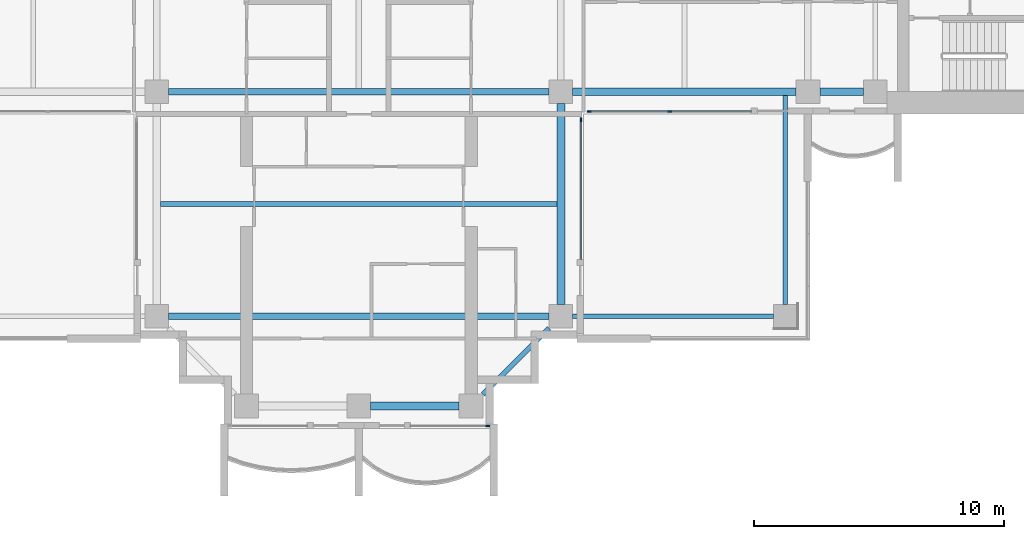
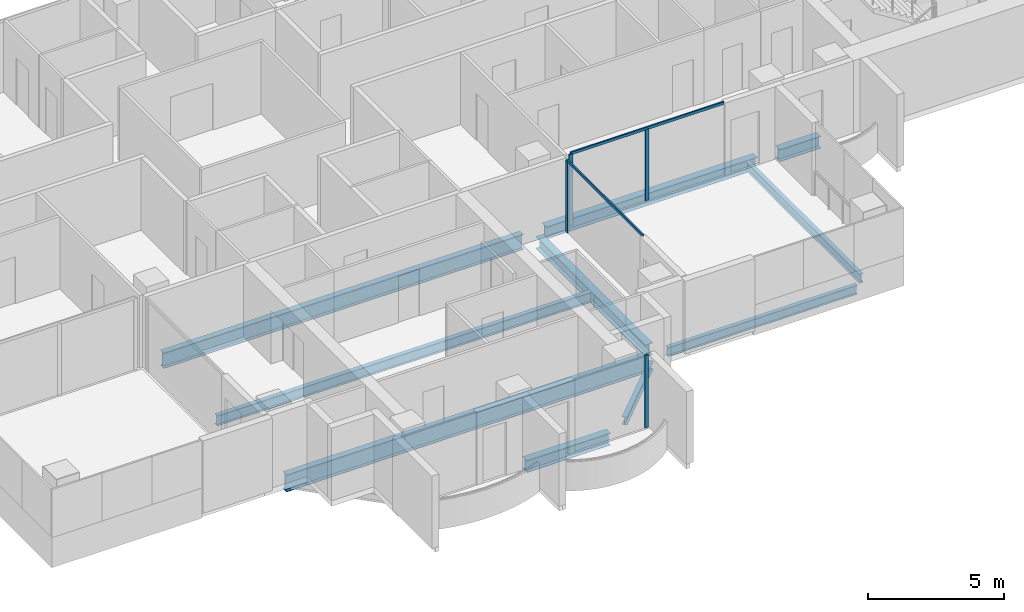
# One storey, part 3 of 17: 10 beams, 6 members, 3 elements without a shape of their own.
"""IFC4 building model written with IfcOpenShell, lengths in metres."""

import ifcopenshell
import ifcopenshell.guid

model = None  # the IFC model being written
_history = None  # IfcOwnerHistory: only IFC2X3 demands one
_inside = {}  # id of a spatial element -> (the spatial element, [elements in it])
_under = {}  # id of a project, library or spatial element -> (it, [spatial elements below it])
_declared = {}  # id of a project -> (the project, [libraries it declares])
_typed = {}  # id of a type object -> (the type object, [elements of that type])
_made_of = {}  # id of a material, layer set ... -> (it, [elements and type objects made of it])


def new_model(schema):
    """Start an empty IFC model of exactly this schema.

    Asked for "IFC4X3", IfcOpenShell would pick the latest addendum, in which some entities
    have other attributes; the version numbers below select the first issue.
    IFC2X3 requires an IfcOwnerHistory on every rooted entity: one is made here for all.
    """
    global model, _history
    if schema == "IFC4X3":
        model = ifcopenshell.file(schema_version=(4, 3, 0, 0))
    else:
        model = ifcopenshell.file(schema=schema)
    _inside.clear()
    _under.clear()
    _declared.clear()
    _typed.clear()
    _made_of.clear()
    _history = None
    if model.schema == "IFC2X3":
        org = make("IfcOrganization", Name="unknown")
        user = make(
            "IfcPersonAndOrganization",
            ThePerson=make("IfcPerson", FamilyName="unknown"),
            TheOrganization=org,
        )
        app = make(
            "IfcApplication",
            ApplicationDeveloper=org,
            Version="unknown",
            ApplicationFullName="unknown",
            ApplicationIdentifier="unknown",
        )
        _history = make(
            "IfcOwnerHistory",
            OwningUser=user,
            OwningApplication=app,
            ChangeAction="ADDED",
            CreationDate=0,
        )
    return model


def make(cls, **values):
    """One entity of the class cls with the attributes given. An attribute that is None is left unset."""
    return model.create_entity(
        cls, **{name: value for name, value in values.items() if value is not None}
    )


def rooted(cls, **values):
    """An entity with a GlobalId (a new one), such as an element, a storey or a relation."""
    return make(cls, GlobalId=ifcopenshell.guid.new(), OwnerHistory=_history, **values)


def si_unit(unit_type, name, prefix=None):
    """IfcSIUnit, for example si_unit("LENGTHUNIT", "METRE", prefix="MILLI")."""
    return make("IfcSIUnit", UnitType=unit_type, Prefix=prefix, Name=name)


def assignment(units):
    """IfcUnitAssignment: the units of a project."""
    return None if units is None else make("IfcUnitAssignment", Units=units)


def point(xyz):
    """IfcCartesianPoint."""
    return None if xyz is None else make("IfcCartesianPoint", Coordinates=xyz)


def direction(xyz):
    """IfcDirection."""
    return None if xyz is None else make("IfcDirection", DirectionRatios=xyz)


def frame(location, z_axis=None, x_axis=None):
    """IfcAxis2Placement3D, a coordinate frame: its origin and axes. An axis left out is left unset."""
    return make(
        "IfcAxis2Placement3D",
        Location=point(location),
        Axis=direction(z_axis),
        RefDirection=direction(x_axis),
    )


def frame_2d(location, x_axis=None):
    """IfcAxis2Placement2D, a coordinate frame in the plane: its origin and x axis."""
    return make(
        "IfcAxis2Placement2D", Location=point(location), RefDirection=direction(x_axis)
    )


def origin():
    """The frame at (0, 0, 0) with its axes left unset."""
    return frame((0.0, 0.0, 0.0))


def origin_2d():
    """The frame at (0, 0) in the plane with its x axis left unset."""
    return frame_2d((0.0, 0.0))


def place(relative_to, where):
    """IfcLocalPlacement: puts the frame where relative to a parent placement (None: the world)."""
    return make(
        "IfcLocalPlacement", PlacementRelTo=relative_to, RelativePlacement=where
    )


def context(
    kind, dimensions, precision=None, world=None, true_north=None, identifier=None
):
    """IfcGeometricRepresentationContext, for example the 3D "Model" context."""
    return make(
        "IfcGeometricRepresentationContext",
        ContextIdentifier=identifier,
        ContextType=kind,
        CoordinateSpaceDimension=dimensions,
        Precision=precision,
        WorldCoordinateSystem=world,
        TrueNorth=true_north,
    )


def subcontext(parent, identifier, kind, view, scale=None):
    """IfcGeometricRepresentationSubContext, for example "Body" below "Model"."""
    return make(
        "IfcGeometricRepresentationSubContext",
        ContextIdentifier=identifier,
        ContextType=kind,
        ParentContext=parent,
        TargetScale=scale,
        TargetView=view,
    )


def project(units=None, contexts=None):
    """IfcProject with its units and contexts."""
    return rooted(
        "IfcProject",
        Name="project",
        RepresentationContexts=contexts,
        UnitsInContext=assignment(units),
    )


def spatial(cls, under=None, at=None, **own):
    """A site, building, storey or space (cls), placed at a placement, below another one or the project."""
    s = rooted(cls, ObjectPlacement=at, **own)
    if under is not None:
        _under.setdefault(under.id(), (under, []))[1].append(s)
    return s


def profile(cls, at=None, kind="AREA", **sizes):
    """A parametric profile (cls). Its sizes go by their IFC names, for example OverallWidth=200.0."""
    return make(cls, ProfileType=kind, Position=at, **sizes)


def rectangle(**sizes):
    """IfcRectangleProfileDef."""
    return profile("IfcRectangleProfileDef", **sizes)


def i_section(**sizes):
    """IfcIShapeProfileDef."""
    return profile("IfcIShapeProfileDef", **sizes)


def extrude(swept, where, along, depth):
    """IfcExtrudedAreaSolid: the profile swept, set in the frame where, extruded along a direction by depth."""
    return make(
        "IfcExtrudedAreaSolid",
        SweptArea=swept,
        Position=where,
        ExtrudedDirection=direction(along),
        Depth=depth,
    )


def shape(context_of_items, identifier, shape_type, items):
    """IfcShapeRepresentation: the items that make up one representation, for example the "Body"."""
    return make(
        "IfcShapeRepresentation",
        ContextOfItems=context_of_items,
        RepresentationIdentifier=identifier,
        RepresentationType=shape_type,
        Items=items,
    )


def material(Name=None, Category=None):
    """IfcMaterial."""
    return make("IfcMaterial", Name=Name, Category=Category)


def material_profile(
    of_material, cross_section, Name=None, Category=None, Priority=None
):
    """IfcMaterialProfile: a cross section and its material."""
    return make(
        "IfcMaterialProfile",
        Name=Name,
        Material=of_material,
        Profile=cross_section,
        Priority=Priority,
        Category=Category,
    )


def profile_set(profiles, Name=None, composite=None):
    """IfcMaterialProfileSet."""
    return make(
        "IfcMaterialProfileSet",
        Name=Name,
        MaterialProfiles=profiles,
        CompositeProfile=composite,
    )


def made_of(thing, what):
    """Note that an element or type object is made of a material, layer set ...; save() writes the relation."""
    if what is not None:
        _made_of.setdefault(what.id(), (what, []))[1].append(thing)
    return thing


def type_object(cls, material=None, **own):
    """A type object (cls), such as IfcWallType, which elements share."""
    return made_of(rooted(cls, **own), material)


def element(
    cls,
    number,
    at=None,
    inside=None,
    cuts=None,
    type_object=None,
    material=None,
    context=None,
    identifier="Body",
    shape_type=None,
    held_by="IfcProductDefinitionShape",
    body=None,
    shapes=None,
    **own,
):
    """One element of the class cls, such as IfcWall. Its Tag is "e" and its number.

    at: its placement. inside: the storey or other place that contains it. cuts: it is an
    opening in that element (IfcRelVoidsElement). A single representation is given by context,
    identifier, shape_type and body (its items); several are given by shapes. held_by: the class
    of the entity that holds the representations. save() writes the other relations.
    """
    e = rooted(cls, Tag="e%d" % number, ObjectPlacement=at, **own)
    if body is not None:
        shapes = [shape(context, identifier, shape_type, body)]
    if shapes is not None:
        e.Representation = make(held_by, Representations=shapes)
    if inside is not None:
        _inside.setdefault(inside.id(), (inside, []))[1].append(e)
    if cuts is not None:
        rooted(
            "IfcRelVoidsElement", RelatingBuildingElement=cuts, RelatedOpeningElement=e
        )
    if type_object is not None:
        _typed.setdefault(type_object.id(), (type_object, []))[1].append(e)
    return made_of(e, material)


def aggregate(whole, parts):
    """IfcRelAggregates: a whole, such as a stair, and the parts it consists of."""
    return rooted("IfcRelAggregates", RelatingObject=whole, RelatedObjects=parts)


def save(model, path):
    """Write the relations noted so far, then the file.

    IfcRelAggregates (storeys below a building ...), IfcRelContainedInSpatialStructure (elements
    in a storey), IfcRelDefinesByType, IfcRelAssociatesMaterial and IfcRelDeclares: one each for
    every whole, place, type object, material and project.
    """
    for whole, parts in _under.values():
        aggregate(whole, parts)
    for where, things in _inside.values():
        rooted(
            "IfcRelContainedInSpatialStructure",
            RelatedElements=things,
            RelatingStructure=where,
        )
    for kind, things in _typed.values():
        rooted("IfcRelDefinesByType", RelatedObjects=things, RelatingType=kind)
    for what, things in _made_of.values():
        rooted("IfcRelAssociatesMaterial", RelatedObjects=things, RelatingMaterial=what)
    for by, libraries in _declared.values():
        rooted("IfcRelDeclares", RelatingContext=by, RelatedDefinitions=libraries)
    model.write(path)


model = new_model("IFC4")

# Units and contexts
model_context = context("Model", 3, precision=1e-05, world=origin(), true_north=direction((0.0, 1.0)))
body_context = subcontext(model_context, "Body", "Model", "MODEL_VIEW")
ifc_project = project(units=[si_unit("LENGTHUNIT", "METRE"), si_unit("AREAUNIT", "SQUARE_METRE"), si_unit("VOLUMEUNIT", "CUBIC_METRE"), si_unit("PLANEANGLEUNIT", "RADIAN"), si_unit("MASSUNIT", "GRAM", prefix="KILO")], contexts=[model_context])

# Site, building, storey
site_placement = place(None, origin())
site = spatial("IfcSite", under=ifc_project, at=site_placement, CompositionType="ELEMENT")
building_placement = place(site_placement, origin())
building = spatial("IfcBuilding", under=site, at=building_placement, Name="Perihelion Cross Residences", CompositionType="ELEMENT")
storey_placement = place(building_placement, frame((0.0, 0.0, 184.10009765625)))
storey = spatial("IfcBuildingStorey", under=building, at=storey_placement, Name="L45", CompositionType="ELEMENT", Elevation=184.10009765625)

# Curtain wall, member
ifc_material_1 = material(Name="Bronze anodised aluminium, tinted glazing", Category="aluminium")
curtain_wall_type = type_object("IfcCurtainWallType", Name="CW1", PredefinedType="NOTDEFINED", material=ifc_material_1)
curtain_wall_1_placement = place(storey_placement, origin())
curtain_wall_1 = element("IfcCurtainWall", 1, at=curtain_wall_1_placement, inside=storey, type_object=curtain_wall_type, Name="Curtain wall CW1 L45 south tip south bay 2", PredefinedType="NOTDEFINED")
ifc_material_2 = material(Name="Bronze anodised aluminium", Category="aluminium")
ifc_material_profile_1 = material_profile(ifc_material_2, rectangle(XDim=0.06005859375, YDim=0.159912109375, at=origin_2d()), Name="CW1 mullion")
ifc_profile_set_1 = profile_set([ifc_material_profile_1], Name="Bronze anodised aluminium")
member_type_1 = type_object("IfcMemberType", Name="CW1 mullion", PredefinedType="MULLION", material=ifc_profile_set_1)
member_1_placement = place(storey_placement, frame((5.169921875, -21.5, 0.0), z_axis=(0.0, 0.0, 1.0), x_axis=(0.0, 1.0, 0.0)))
member_1 = element("IfcMember", 2, at=member_1_placement, type_object=member_type_1, Name="CW1 mullion 2", PredefinedType="MULLION", context=body_context, shape_type="SweptSolid", body=[
    extrude(rectangle(XDim=0.06005859375, YDim=0.159912109375, at=origin_2d()), origin(), (0.0, 0.0, 1.0), 3.25),
])
aggregate(curtain_wall_1, [member_1])

curtain_wall_2_placement = place(storey_placement, origin())
curtain_wall_2 = element("IfcCurtainWall", 3, at=curtain_wall_2_placement, inside=storey, type_object=curtain_wall_type, Name="Curtain wall CW1 L45 south side east bay 1", PredefinedType="NOTDEFINED")
member_2_placement = place(storey_placement, frame((8.89990234375, -9.22998046875, 0.0), z_axis=(0.0, 0.0, 1.0), x_axis=(-1.0, 0.0, 0.0)))
member_2 = element("IfcMember", 4, at=member_2_placement, type_object=member_type_1, Name="CW1 mullion 2", PredefinedType="MULLION", context=body_context, shape_type="SweptSolid", body=[
    extrude(rectangle(XDim=0.06005859375, YDim=0.159912109375, at=origin_2d()), origin(), (0.0, 0.0, 1.0), 3.18994140625),
])

# Curtain wall, members
curtain_wall_3_placement = place(storey_placement, origin())
curtain_wall_3 = element("IfcCurtainWall", 5, at=curtain_wall_3_placement, inside=storey, type_object=curtain_wall_type, Name="Curtain wall CW1 L45 east side south bay 1", PredefinedType="NOTDEFINED")
member_3_placement = place(storey_placement, frame((9.22998046875, -8.89990234375, 0.0), z_axis=(0.0, 0.0, 1.0), x_axis=(0.0, 1.0, 0.0)))
member_3 = element("IfcMember", 6, at=member_3_placement, type_object=member_type_1, Name="CW1 mullion 1", PredefinedType="MULLION", context=body_context, shape_type="SweptSolid", body=[
    extrude(rectangle(XDim=0.06005859375, YDim=0.159912109375, at=origin_2d()), origin(), (0.0, 0.0, 1.0), 3.18994140625),
])
member_4_placement = place(storey_placement, frame((12.46240234375, -8.89990234375, 0.0), z_axis=(0.0, 0.0, 1.0), x_axis=(0.0, 1.0, 0.0)))
member_4 = element("IfcMember", 7, at=member_4_placement, type_object=member_type_1, Name="CW1 mullion 2", PredefinedType="MULLION", context=body_context, shape_type="SweptSolid", body=[
    extrude(rectangle(XDim=0.06005859375, YDim=0.159912109375, at=origin_2d()), origin(), (0.0, 0.0, 1.0), 3.18994140625),
])

# Member
ifc_material_3 = material(Name="Bronze anodised aluminium", Category="aluminium")
ifc_material_profile_2 = material_profile(ifc_material_3, rectangle(XDim=0.06005859375, YDim=0.1201171875, at=origin_2d()), Name="CW1 transom")
ifc_profile_set_2 = profile_set([ifc_material_profile_2], Name="Bronze anodised aluminium")
member_type_2 = type_object("IfcMemberType", Name="CW1 transom", PredefinedType="USERDEFINED", material=ifc_profile_set_2)
member_5_placement = place(storey_placement, frame((8.89990234375, -14.824951171875, 3.219970703125), z_axis=(0.0, 1.0, 0.0), x_axis=(-1.0, 0.0, 0.0)))
member_5 = element("IfcMember", 8, at=member_5_placement, type_object=member_type_2, Name="CW1 head transom", ObjectType="TRANSOM", PredefinedType="USERDEFINED", context=body_context, shape_type="SweptSolid", body=[
    extrude(rectangle(XDim=0.06005859375, YDim=0.1201171875, at=origin_2d()), origin(), (0.0, 0.0, 1.0), 5.594970703125),
])

aggregate(curtain_wall_2, [member_2, member_5])

member_6_placement = place(storey_placement, frame((9.22998046875, -8.89990234375, 3.219970703125), z_axis=(1.0, 0.0, 0.0), x_axis=(0.0, 1.0, 0.0)))
member_6 = element("IfcMember", 9, at=member_6_placement, type_object=member_type_2, Name="CW1 head transom", ObjectType="TRANSOM", PredefinedType="USERDEFINED", context=body_context, shape_type="SweptSolid", body=[
    extrude(rectangle(XDim=0.06005859375, YDim=0.1201171875, at=origin_2d()), origin(), (0.0, 0.0, 1.0), 6.4951171875),
])

aggregate(curtain_wall_3, [member_3, member_4, member_6])

# Beams
ifc_material_4 = material(Name="Steel S355", Category="steel")
ifc_material_profile_3 = material_profile(ifc_material_4, i_section(OverallWidth=0.177978515625, OverallDepth=0.406005859375, WebThickness=0.0078125, FlangeThickness=0.0126953125, at=origin_2d()), Name="W410x60")
ifc_profile_set_3 = profile_set([ifc_material_profile_3], Name="Steel S355")
beam_type_1 = type_object("IfcBeamType", Name="Core edge beam W410x60", PredefinedType="BEAM", material=ifc_profile_set_3)
beam_1_placement = place(storey_placement, frame((17.10009765625, -8.256103515625, -0.453125), z_axis=(0.0, -1.0, 0.0), x_axis=(1.0, 0.0, 0.0)))
element("IfcBeam", 10, at=beam_1_placement, inside=storey, type_object=beam_type_1, Name="Core edge beam TB2 L45 corner no. 3", PredefinedType="BEAM", context=body_context, shape_type="SweptSolid", body=[
    extrude(i_section(OverallWidth=0.177978515625, OverallDepth=0.406005859375, WebThickness=0.0078125, FlangeThickness=0.0126953125, at=origin_2d()), origin(), (0.0, 0.0, 1.0), 8.368896484375),
])
beam_2_placement = place(storey_placement, frame((8.574951171875, -17.10009765625, -0.453125), z_axis=(1.0, 0.0, 0.0), x_axis=(0.0, 1.0, 0.0)))
element("IfcBeam", 11, at=beam_2_placement, inside=storey, type_object=beam_type_1, Name="Core edge beam TB2 L45 corner no. 4", PredefinedType="BEAM", context=body_context, shape_type="SweptSolid", body=[
    extrude(i_section(OverallWidth=0.177978515625, OverallDepth=0.406005859375, WebThickness=0.0078125, FlangeThickness=0.0126953125, at=origin_2d()), origin(), (0.0, 0.0, 1.0), 8.050048828125),
])
ifc_material_5 = material(Name="Steel S355", Category="steel")
ifc_material_profile_4 = material_profile(ifc_material_5, i_section(OverallWidth=0.31201171875, OverallDepth=0.5439453125, WebThickness=0.0126953125, FlangeThickness=0.020263671875, at=origin_2d()), Name="W530x150")
ifc_profile_set_4 = profile_set([ifc_material_profile_4], Name="Steel S355")
beam_type_2 = type_object("IfcBeamType", Name="Edge beam W530x150", PredefinedType="SPANDREL", material=ifc_profile_set_4)
beam_3_placement = place(storey_placement, frame((0.47509765625, -20.699951171875, -0.522216796875), z_axis=(1.0, 0.0, 0.0), x_axis=(0.0, 1.0, 0.0)))
element("IfcBeam", 12, at=beam_3_placement, inside=storey, type_object=beam_type_2, Name="Edge beam SB4 L45 no. 7", PredefinedType="SPANDREL", context=body_context, shape_type="SweptSolid", body=[
    extrude(i_section(OverallWidth=0.31201171875, OverallDepth=0.5439453125, WebThickness=0.0126953125, FlangeThickness=0.020263671875, at=origin_2d()), origin(), (0.0, 0.0, 1.0), 3.5498046875),
])
beam_4_placement = place(storey_placement, frame((8.10009765625, -16.625, -0.522216796875), z_axis=(0.0, 1.0, 0.0), x_axis=(-1.0, 0.0, 0.0)))
element("IfcBeam", 13, at=beam_4_placement, inside=storey, type_object=beam_type_2, Name="Edge beam SB4 L45 no. 11", PredefinedType="SPANDREL", context=body_context, shape_type="SweptSolid", body=[
    extrude(i_section(OverallWidth=0.31201171875, OverallDepth=0.5439453125, WebThickness=0.0126953125, FlangeThickness=0.020263671875, at=origin_2d()), origin(), (0.0, 0.0, 1.0), 8.050048828125),
])
beam_5_placement = place(storey_placement, frame((8.574951171875, -8.10009765625, -0.522216796875), z_axis=(1.0, 0.0, 0.0), x_axis=(0.0, 1.0, 0.0)))
element("IfcBeam", 14, at=beam_5_placement, inside=storey, type_object=beam_type_2, Name="Edge beam SB4 L45 no. 12", PredefinedType="SPANDREL", context=body_context, shape_type="SweptSolid", body=[
    extrude(i_section(OverallWidth=0.31201171875, OverallDepth=0.5439453125, WebThickness=0.0126953125, FlangeThickness=0.020263671875, at=origin_2d()), origin(), (0.0, 0.0, 1.0), 8.949951171875),
])
beam_6_placement = place(storey_placement, frame((18.47509765625, -8.10009765625, -0.522216796875), z_axis=(1.0, 0.0, 0.0), x_axis=(0.0, 1.0, 0.0)))
element("IfcBeam", 15, at=beam_6_placement, inside=storey, type_object=beam_type_2, Name="Edge beam SB4 L45 no. 8", PredefinedType="SPANDREL", context=body_context, shape_type="SweptSolid", body=[
    extrude(i_section(OverallWidth=0.31201171875, OverallDepth=0.5439453125, WebThickness=0.0126953125, FlangeThickness=0.020263671875, at=origin_2d()), origin(), (0.0, 0.0, 1.0), 1.75),
])
ifc_material_6 = material(Name="Steel S355", Category="steel")
ifc_material_profile_5 = material_profile(ifc_material_6, i_section(OverallWidth=0.26708984375, OverallDepth=0.77001953125, WebThickness=0.015625, FlangeThickness=0.025390625, at=origin_2d()), Name="W760x196")
ifc_profile_set_5 = profile_set([ifc_material_profile_5], Name="Steel S355")
beam_type_3 = type_object("IfcBeamType", Name="Floor girder W760x196", PredefinedType="BEAM", material=ifc_profile_set_5)
beam_7_placement = place(storey_placement, frame((-7.625, -17.10009765625, -0.635009765625), z_axis=(1.0, 0.0, 0.0), x_axis=(0.0, 1.0, 0.0)))
element("IfcBeam", 16, at=beam_7_placement, inside=storey, type_object=beam_type_3, Name="Girder G4 L45 no. 3", PredefinedType="BEAM", context=body_context, shape_type="SweptSolid", body=[
    extrude(i_section(OverallWidth=0.26708984375, OverallDepth=0.77001953125, WebThickness=0.015625, FlangeThickness=0.025390625, at=origin_2d()), origin(), (0.0, 0.0, 1.0), 15.25),
])
ifc_material_7 = material(Name="Steel S355", Category="steel")
ifc_material_profile_6 = material_profile(ifc_material_7, i_section(OverallWidth=0.19091796875, OverallDepth=0.45703125, WebThickness=0.009033203125, FlangeThickness=0.014404296875, at=origin_2d()), Name="W460x74")
ifc_profile_set_6 = profile_set([ifc_material_profile_6], Name="Steel S355")
beam_type_4 = type_object("IfcBeamType", Name="Floor joist W460x74", PredefinedType="JOIST", material=ifc_profile_set_6)
beam_8_placement = place(storey_placement, frame((-7.944091796875, -12.60009765625, -0.478515625), z_axis=(1.0, 0.0, 0.0), x_axis=(0.0, 1.0, 0.0)))
element("IfcBeam", 17, at=beam_8_placement, inside=storey, type_object=beam_type_4, Name="Joist J5 L45 no. 3", PredefinedType="JOIST", context=body_context, shape_type="SweptSolid", body=[
    extrude(i_section(OverallWidth=0.19091796875, OverallDepth=0.45703125, WebThickness=0.009033203125, FlangeThickness=0.014404296875, at=origin_2d()), origin(), (0.0, 0.0, 1.0), 15.88818359375),
])
ifc_material_8 = material(Name="Steel S355", Category="steel")
ifc_material_profile_7 = material_profile(ifc_material_8, i_section(OverallWidth=0.257080078125, OverallDepth=0.693115234375, WebThickness=0.014404296875, FlangeThickness=0.023681640625, at=origin_2d()), Name="W690x170")
ifc_profile_set_7 = profile_set([ifc_material_profile_7], Name="Steel S355")
beam_type_5 = type_object("IfcBeamType", Name="Hub ring girder W690x170", PredefinedType="BEAM", material=ifc_profile_set_7)
beam_9_placement = place(storey_placement, frame((-7.625, -8.10009765625, -0.5966796875), z_axis=(1.0, 0.0, 0.0), x_axis=(0.0, 1.0, 0.0)))
element("IfcBeam", 18, at=beam_9_placement, inside=storey, type_object=beam_type_5, Name="Hub ring girder RG4 L45 no. 1", PredefinedType="BEAM", context=body_context, shape_type="SweptSolid", body=[
    extrude(i_section(OverallWidth=0.257080078125, OverallDepth=0.693115234375, WebThickness=0.014404296875, FlangeThickness=0.023681640625, at=origin_2d()), origin(), (0.0, 0.0, 1.0), 15.25),
])
ifc_material_9 = material(Name="Steel S355", Category="steel")
ifc_material_profile_8 = material_profile(ifc_material_9, i_section(OverallWidth=0.205078125, OverallDepth=0.35302734375, WebThickness=0.009521484375, FlangeThickness=0.016845703125, at=origin_2d()), Name="W360x79")
ifc_profile_set_8 = profile_set([ifc_material_profile_8], Name="Steel S355")
beam_type_6 = type_object("IfcBeamType", Name="Serration edge beam W360x79", PredefinedType="BEAM", material=ifc_profile_set_8)
beam_10_placement = place(storey_placement, frame((4.97509765625, -20.22509765625, -0.426513671875), z_axis=(0.70707420838, 0.707139352493, 0.0), x_axis=(-0.707139352493, 0.70707420838, 0.0)))
element("IfcBeam", 19, at=beam_10_placement, inside=storey, type_object=beam_type_6, Name="Serration edge beam EB4 L45 no. 2", PredefinedType="BEAM", context=body_context, shape_type="SweptSolid", body=[
    extrude(i_section(OverallWidth=0.205078125, OverallDepth=0.35302734375, WebThickness=0.009521484375, FlangeThickness=0.016845703125, at=origin_2d()), origin(), (0.0, 0.0, 1.0), 3.747802734375),
])

save(model, "model.ifc")
